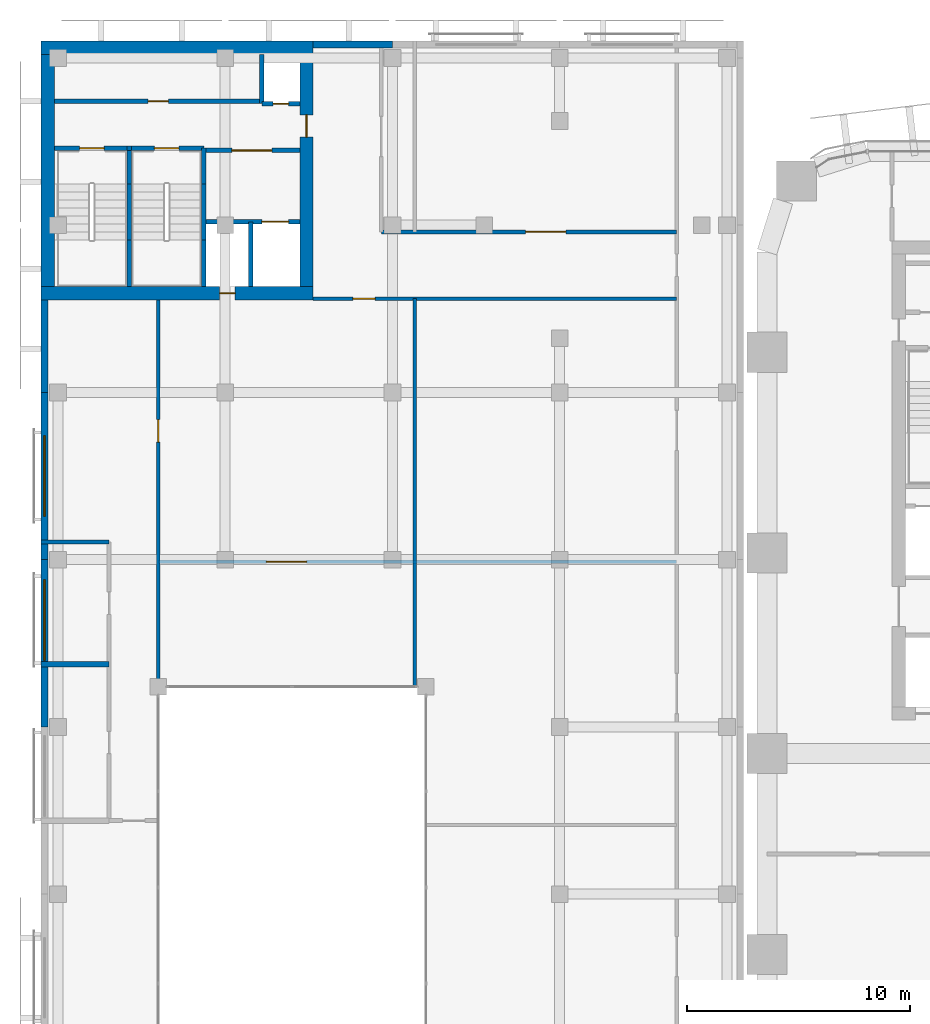
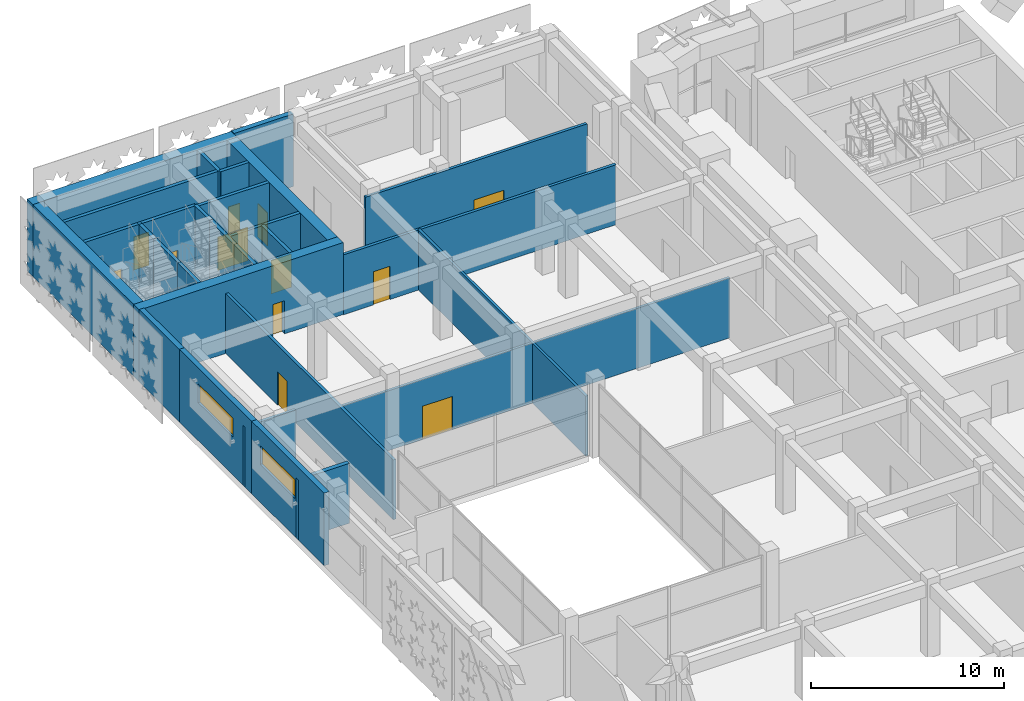
# One storey, part 19 of 40: 30 walls, 12 doors, 2 windows, 14 openings.
"""IFC4 building model written with IfcOpenShell, lengths in metres."""

from ifc_helpers import new_model, si_unit, direction, frame, frame_2d, origin, place, context, subcontext, project, spatial, rectangle, extrude, material, layer, layer_set, type_object, element, fill, save


model = new_model("IFC4")

# Units and contexts
model_context = context("Model", 3, precision=1e-05, world=origin(), true_north=direction((0.0, 1.0)))
body_context = subcontext(model_context, "Body", "Model", "MODEL_VIEW")
ifc_project = project(units=[si_unit("LENGTHUNIT", "METRE"), si_unit("AREAUNIT", "SQUARE_METRE"), si_unit("VOLUMEUNIT", "CUBIC_METRE"), si_unit("PLANEANGLEUNIT", "RADIAN"), si_unit("MASSUNIT", "GRAM", prefix="KILO")], contexts=[model_context])

# Site, building, storey
site_placement = place(None, origin())
site = spatial("IfcSite", under=ifc_project, at=site_placement, CompositionType="ELEMENT")
building_placement = place(site_placement, origin())
building = spatial("IfcBuilding", under=site, at=building_placement, Name="Tessera Arch", CompositionType="ELEMENT")
storey_placement = place(building_placement, frame((0.0, 0.0, 21.0)))
storey = spatial("IfcBuildingStorey", under=building, at=storey_placement, Name="L03", CompositionType="ELEMENT", Elevation=21.0)

# Wall, opening, door
ifc_material_1 = material(Name="Gypsum board on steel stud", Category="steel")
ifc_layer_1 = layer(ifc_material_1, 0.125)
ifc_layer_set_1 = layer_set([ifc_layer_1], Name="Core partition 125 EI 60")
wall_type_1 = type_object("IfcWallType", Name="Core partition 125 EI 60", PredefinedType="PARTITIONING", material=ifc_layer_set_1)
wall_1_placement = place(storey_placement, frame((-25.25, 54.050048828125, 0.0), z_axis=(0.0, 0.0, 1.0), x_axis=(1.0, 0.0, 0.0)))
wall_1 = element("IfcWall", 1, at=wall_1_placement, inside=storey, type_object=wall_type_1, Name="L03 M1 partition wall 10", PredefinedType="PARTITIONING", context=body_context, shape_type="SweptSolid", body=[
    extrude(rectangle(XDim=4.300048828125, YDim=0.199951171875, at=frame_2d((2.14990234375, 0.0))), origin(), (0.0, 0.0, 1.0), 4.550048828125),
])
opening_1_placement = place(wall_1_placement, frame((1.25, 0.0, 0.0)))
opening_1 = element("IfcOpeningElement", 2, at=opening_1_placement, cuts=wall_1, Name="Opening L03-C48", PredefinedType="OPENING", context=body_context, shape_type="SweptSolid", body=[
    extrude(rectangle(XDim=1.800048828125, YDim=2.10009765625, at=frame_2d((0.89990234375, 1.050048828125))), frame((0.0, 0.10986328125, 0.0), z_axis=(0.0, -1.0, 0.0), x_axis=(1.0, 0.0, 0.0)), (0.0, 0.0, 1.0), 0.219970703125),
])
ifc_material_2 = material(Name="Glazed steel door leaf", Category="steel")
door_type_1 = type_object("IfcDoorType", Name="Lobby double door FD30S 1800 x 2100", OperationType="DOUBLE_DOOR_SINGLE_SWING", PredefinedType="DOOR", material=ifc_material_2)
door_1_placement = place(opening_1_placement, origin())
door_1 = element("IfcDoor", 3, at=door_1_placement, inside=storey, type_object=door_type_1, Name="L03 M1 door 4 C48 type D06", OperationType="DOUBLE_DOOR_SINGLE_SWING", OverallHeight=2.10009765625, OverallWidth=1.800048828125, PredefinedType="DOOR", context=body_context, shape_type="SweptSolid", body=[
    extrude(rectangle(XDim=1.800048828125, YDim=2.10009765625, at=frame_2d((0.89990234375, 1.050048828125))), frame((0.0, 0.02490234375, 0.0), z_axis=(0.0, -1.0, 0.0), x_axis=(1.0, 0.0, 0.0)), (0.0, 0.0, 1.0), 0.050048828125),
])
fill(opening_1, door_1)

wall_2_placement = place(storey_placement, frame((-31.949951171875, 56.25, 0.0), z_axis=(0.0, 0.0, 1.0), x_axis=(1.0, 0.0, 0.0)))
wall_2 = element("IfcWall", 4, at=wall_2_placement, inside=storey, type_object=wall_type_1, Name="L03 M1 partition wall 14", PredefinedType="PARTITIONING", context=body_context, shape_type="SweptSolid", body=[
    extrude(rectangle(XDim=9.300048828125, YDim=0.199951171875, at=frame_2d((4.64990234375, 0.0))), origin(), (0.0, 0.0, 1.0), 4.550048828125),
])
opening_2_placement = place(wall_2_placement, frame((4.199951171875, 0.0, 0.0)))
opening_2 = element("IfcOpeningElement", 5, at=opening_2_placement, cuts=wall_2, Name="Opening L03-C52", PredefinedType="OPENING", context=body_context, shape_type="SweptSolid", body=[
    extrude(rectangle(XDim=0.89990234375, YDim=2.10009765625, at=frame_2d((0.449951171875, 1.050048828125))), frame((0.0, 0.10986328125, 0.0), z_axis=(0.0, -1.0, 0.0), x_axis=(1.0, 0.0, 0.0)), (0.0, 0.0, 1.0), 0.219970703125),
])
ifc_material_3 = material(Name="Steel door leaf", Category="steel")
door_type_2 = type_object("IfcDoorType", Name="Store door FD30S 900 x 2100", OperationType="SINGLE_SWING_LEFT", PredefinedType="DOOR", material=ifc_material_3)
door_2_placement = place(opening_2_placement, origin())
door_2 = element("IfcDoor", 6, at=door_2_placement, inside=storey, type_object=door_type_2, Name="L03 M1 door 8 C52 type D09", OperationType="SINGLE_SWING_LEFT", OverallHeight=2.10009765625, OverallWidth=0.89990234375, PredefinedType="DOOR", context=body_context, shape_type="SweptSolid", body=[
    extrude(rectangle(XDim=0.89990234375, YDim=2.10009765625, at=frame_2d((0.449951171875, 1.050048828125))), frame((0.0, 0.02490234375, 0.0), z_axis=(0.0, -1.0, 0.0), x_axis=(1.0, 0.0, 0.0)), (0.0, 0.0, 1.0), 0.050048828125),
])
fill(opening_2, door_2)

ifc_material_4 = material(Name="Concrete C70/85", Category="concrete")
ifc_layer_2 = layer(ifc_material_4, 0.60009765625)
ifc_layer_set_2 = layer_set([ifc_layer_2], Name="Core shell wall 600 C70-85")
wall_type_2 = type_object("IfcWallType", Name="Core shell wall 600 C70-85", PredefinedType="SHEAR", material=ifc_layer_set_2)
wall_3_placement = place(storey_placement, frame((-32.550048828125, 47.64990234375, 0.0), z_axis=(0.0, 0.0, 1.0), x_axis=(1.0, 0.0, 0.0)))
wall_3 = element("IfcWall", 7, at=wall_3_placement, inside=storey, type_object=wall_type_2, Name="L03 M1 core wall S", PredefinedType="SHEAR", context=body_context, shape_type="SweptSolid", body=[
    extrude(rectangle(XDim=12.199951171875, YDim=0.60009765625, at=frame_2d((6.10009765625, 0.0))), origin(), (0.0, 0.0, 1.0), 4.550048828125),
])
opening_3_placement = place(wall_3_placement, frame((8.0, 0.0, 0.0)))
opening_3 = element("IfcOpeningElement", 8, at=opening_3_placement, cuts=wall_3, Name="Opening L03-C50", PredefinedType="OPENING", context=body_context, shape_type="SweptSolid", body=[
    extrude(rectangle(XDim=0.699951171875, YDim=2.10009765625, at=frame_2d((0.35009765625, 1.050048828125))), frame((0.0, 0.31005859375, 0.0), z_axis=(0.0, -1.0, 0.0), x_axis=(1.0, 0.0, 0.0)), (0.0, 0.0, 1.0), 0.6201171875),
])
ifc_material_5 = material(Name="Steel door leaf", Category="steel")
door_type_3 = type_object("IfcDoorType", Name="Service shaft door FD60 700 x 2100", OperationType="SINGLE_SWING_LEFT", PredefinedType="DOOR", material=ifc_material_5)
door_3_placement = place(opening_3_placement, origin())
door_3 = element("IfcDoor", 9, at=door_3_placement, inside=storey, type_object=door_type_3, Name="L03 M1 door 6 C50 type D07", OperationType="SINGLE_SWING_RIGHT", OverallHeight=2.10009765625, OverallWidth=0.699951171875, PredefinedType="DOOR", context=body_context, shape_type="SweptSolid", body=[
    extrude(rectangle(XDim=0.699951171875, YDim=2.10009765625, at=frame_2d((0.35009765625, 1.050048828125))), frame((0.0, 0.02490234375, 0.0), z_axis=(0.0, -1.0, 0.0), x_axis=(1.0, 0.0, 0.0)), (0.0, 0.0, 1.0), 0.050048828125),
])
fill(opening_3, door_3)

# Walls
wall_4_placement = place(storey_placement, frame((-32.550048828125, 58.64990234375, 0.0), z_axis=(0.0, 0.0, 1.0), x_axis=(1.0, 0.0, 0.0)))
element("IfcWall", 10, at=wall_4_placement, inside=storey, type_object=wall_type_2, Name="L03 M1 core wall N", PredefinedType="SHEAR", context=body_context, shape_type="SweptSolid", body=[
    extrude(rectangle(XDim=12.199951171875, YDim=0.60009765625, at=frame_2d((6.10009765625, 0.0))), origin(), (0.0, 0.0, 1.0), 4.550048828125),
])
wall_5_placement = place(storey_placement, frame((-32.25, 47.949951171875, 0.0), z_axis=(0.0, 0.0, 1.0), x_axis=(0.0, 1.0, 0.0)))
element("IfcWall", 11, at=wall_5_placement, inside=storey, type_object=wall_type_2, Name="L03 M1 core wall W", PredefinedType="SHEAR", context=body_context, shape_type="SweptSolid", body=[
    extrude(rectangle(XDim=10.400146484375, YDim=0.60009765625, at=frame_2d((5.2001953125, 0.0))), origin(), (0.0, 0.0, 1.0), 4.550048828125),
])

# Wall, opening, door
wall_6_placement = place(storey_placement, frame((-20.64990234375, 47.949951171875, 0.0), z_axis=(0.0, 0.0, 1.0), x_axis=(0.0, 1.0, 0.0)))
wall_6 = element("IfcWall", 12, at=wall_6_placement, inside=storey, type_object=wall_type_2, Name="L03 M1 core wall E", PredefinedType="SHEAR", context=body_context, shape_type="SweptSolid", body=[
    extrude(rectangle(XDim=10.400146484375, YDim=0.60009765625, at=frame_2d((5.2001953125, 0.0))), origin(), (0.0, 0.0, 1.0), 4.550048828125),
])
opening_4_placement = place(wall_6_placement, frame((6.699951171875, 0.0, 0.0)))
opening_4 = element("IfcOpeningElement", 13, at=opening_4_placement, cuts=wall_6, Name="Opening L03-C51", PredefinedType="OPENING", context=body_context, shape_type="SweptSolid", body=[
    extrude(rectangle(XDim=1.0, YDim=2.10009765625, at=frame_2d((0.5, 1.050048828125))), frame((0.0, 0.31005859375, 0.0), z_axis=(0.0, -1.0, 0.0), x_axis=(1.0, 0.0, 0.0)), (0.0, 0.0, 1.0), 0.6201171875),
])
ifc_material_6 = material(Name="Steel door leaf", Category="steel")
door_type_4 = type_object("IfcDoorType", Name="Corridor door FD60 1000 x 2100", OperationType="SINGLE_SWING_LEFT", PredefinedType="DOOR", material=ifc_material_6)
door_4_placement = place(opening_4_placement, origin())
door_4 = element("IfcDoor", 14, at=door_4_placement, inside=storey, type_object=door_type_4, Name="L03 M1 door 7 C51 type D12", OperationType="SINGLE_SWING_RIGHT", OverallHeight=2.10009765625, OverallWidth=1.0, PredefinedType="DOOR", context=body_context, shape_type="SweptSolid", body=[
    extrude(rectangle(XDim=1.0, YDim=2.10009765625, at=frame_2d((0.5, 1.050048828125))), frame((0.0, 0.02490234375, 0.0), z_axis=(0.0, -1.0, 0.0), x_axis=(1.0, 0.0, 0.0)), (0.0, 0.0, 1.0), 0.050048828125),
])
fill(opening_4, door_4)

# Wall
ifc_material_7 = material(Name="Gypsum board on deep steel stud with mineral wool", Category="steel")
ifc_layer_3 = layer(ifc_material_7, 0.175048828125)
ifc_layer_set_3 = layer_set([ifc_layer_3], Name="Corridor wall 175 EI 60")
wall_type_3 = type_object("IfcWallType", Name="Corridor wall 175 EI 60", PredefinedType="PARTITIONING", material=ifc_layer_set_3)
wall_7_placement = place(storey_placement, frame((-32.550048828125, 36.5, 0.0), z_axis=(0.0, 0.0, 1.0), x_axis=(1.0, 0.0, 0.0)))
element("IfcWall", 15, at=wall_7_placement, inside=storey, type_object=wall_type_3, Name="L03 partition 9", PredefinedType="PARTITIONING", context=body_context, shape_type="SweptSolid", body=[
    extrude(rectangle(XDim=3.050048828125, YDim=0.175048828125, at=frame_2d((1.52490234375, 0.0))), origin(), (0.0, 0.0, 1.0), 3.7900390625),
])

# Wall, opening, door
wall_8_placement = place(storey_placement, frame((-20.35009765625, 47.39990234375, 0.0), z_axis=(0.0, 0.0, 1.0), x_axis=(1.0, 0.0, 0.0)))
wall_8 = element("IfcWall", 16, at=wall_8_placement, inside=storey, type_object=wall_type_3, Name="L03 partition 10", PredefinedType="PARTITIONING", context=body_context, shape_type="SweptSolid", body=[
    extrude(rectangle(XDim=16.300048828125, YDim=0.175048828125, at=frame_2d((8.14990234375, 0.0))), origin(), (0.0, 0.0, 1.0), 3.7900390625),
])
opening_5_placement = place(wall_8_placement, frame((1.77490234375, 0.0, 0.0)))
opening_5 = element("IfcOpeningElement", 17, at=opening_5_placement, cuts=wall_8, Name="Opening L03-D001", PredefinedType="OPENING", context=body_context, shape_type="SweptSolid", body=[
    extrude(rectangle(XDim=1.0, YDim=2.10009765625, at=frame_2d((0.5, 1.050048828125))), frame((0.0, 0.097412109375, 0.0), z_axis=(0.0, -1.0, 0.0), x_axis=(1.0, 0.0, 0.0)), (0.0, 0.0, 1.0), 0.195068359375),
])
ifc_material_8 = material(Name="Fire-rated door leaf")
door_type_5 = type_object("IfcDoorType", Name="Entrance door FD30S 1000 x 2100", OperationType="SINGLE_SWING_LEFT", PredefinedType="DOOR", material=ifc_material_8)
door_5_placement = place(opening_5_placement, origin())
door_5 = element("IfcDoor", 18, at=door_5_placement, inside=storey, type_object=door_type_5, Name="L03 door D001 type D03", OperationType="SINGLE_SWING_LEFT", OverallHeight=2.10009765625, OverallWidth=1.0, PredefinedType="DOOR", context=body_context, shape_type="SweptSolid", body=[
    extrude(rectangle(XDim=1.0, YDim=2.10009765625, at=frame_2d((0.5, 1.050048828125))), frame((0.0, 0.02490234375, 0.0), z_axis=(0.0, -1.0, 0.0), x_axis=(1.0, 0.0, 0.0)), (0.0, 0.0, 1.0), 0.050048828125),
])
fill(opening_5, door_5)

wall_9_placement = place(storey_placement, frame((-17.300048828125, 50.39990234375, 0.0), z_axis=(0.0, 0.0, 1.0), x_axis=(1.0, 0.0, 0.0)))
wall_9 = element("IfcWall", 19, at=wall_9_placement, inside=storey, type_object=wall_type_3, Name="L03 partition 12", PredefinedType="PARTITIONING", context=body_context, shape_type="SweptSolid", body=[
    extrude(rectangle(XDim=13.25, YDim=0.175048828125, at=frame_2d((6.625, 0.0))), origin(), (0.0, 0.0, 1.0), 4.550048828125),
])
opening_6_placement = place(wall_9_placement, frame((6.47509765625, 0.0, 0.0)))
opening_6 = element("IfcOpeningElement", 20, at=opening_6_placement, cuts=wall_9, Name="Opening L03-D010", PredefinedType="OPENING", context=body_context, shape_type="SweptSolid", body=[
    extrude(rectangle(XDim=1.800048828125, YDim=2.10009765625, at=frame_2d((0.89990234375, 1.050048828125))), frame((0.0, 0.097412109375, 0.0), z_axis=(0.0, -1.0, 0.0), x_axis=(1.0, 0.0, 0.0)), (0.0, 0.0, 1.0), 0.195068359375),
])
ifc_material_9 = material(Name="Timber door leaf", Category="wood")
door_type_6 = type_object("IfcDoorType", Name="Double door 1800 x 2100", OperationType="DOUBLE_DOOR_SINGLE_SWING", PredefinedType="DOOR", material=ifc_material_9)
door_6_placement = place(opening_6_placement, origin())
door_6 = element("IfcDoor", 21, at=door_6_placement, inside=storey, type_object=door_type_6, Name="L03 door D010 type D13", OperationType="DOUBLE_DOOR_SINGLE_SWING", OverallHeight=2.10009765625, OverallWidth=1.800048828125, PredefinedType="DOOR", context=body_context, shape_type="SweptSolid", body=[
    extrude(rectangle(XDim=1.800048828125, YDim=2.10009765625, at=frame_2d((0.89990234375, 1.050048828125))), frame((0.0, 0.02490234375, 0.0), z_axis=(0.0, -1.0, 0.0), x_axis=(1.0, 0.0, 0.0)), (0.0, 0.0, 1.0), 0.050048828125),
])
fill(opening_6, door_6)

wall_10_placement = place(storey_placement, frame((-27.300048828125, 30.0, 0.0), z_axis=(0.0, 0.0, 1.0), x_axis=(0.0, 1.0, 0.0)))
wall_10 = element("IfcWall", 22, at=wall_10_placement, inside=storey, type_object=wall_type_3, Name="L03 partition 14", PredefinedType="PARTITIONING", context=body_context, shape_type="SweptSolid", body=[
    extrude(rectangle(XDim=17.35009765625, YDim=0.175048828125, at=frame_2d((8.675048828125, 0.0))), origin(), (0.0, 0.0, 1.0), 3.7900390625),
])
opening_7_placement = place(wall_10_placement, frame((10.97509765625, 0.0, 0.0)))
opening_7 = element("IfcOpeningElement", 23, at=opening_7_placement, cuts=wall_10, Name="Opening L03-D003", PredefinedType="OPENING", context=body_context, shape_type="SweptSolid", body=[
    extrude(rectangle(XDim=1.0, YDim=2.10009765625, at=frame_2d((0.5, 1.050048828125))), frame((0.0, 0.097412109375, 0.0), z_axis=(0.0, -1.0, 0.0), x_axis=(1.0, 0.0, 0.0)), (0.0, 0.0, 1.0), 0.195068359375),
])
door_7_placement = place(opening_7_placement, origin())
door_7 = element("IfcDoor", 24, at=door_7_placement, inside=storey, type_object=door_type_5, Name="L03 door D003 type D03", OperationType="SINGLE_SWING_RIGHT", OverallHeight=2.10009765625, OverallWidth=1.0, PredefinedType="DOOR", context=body_context, shape_type="SweptSolid", body=[
    extrude(rectangle(XDim=1.0, YDim=2.10009765625, at=frame_2d((0.5, 1.050048828125))), frame((0.0, 0.02490234375, 0.0), z_axis=(0.0, -1.0, 0.0), x_axis=(1.0, 0.0, 0.0)), (0.0, 0.0, 1.0), 0.050048828125),
])
fill(opening_7, door_7)

# Walls
ifc_material_10 = material(Name="Aluminium cladding pale metal anodised", Category="aluminium")
ifc_layer_4 = layer(ifc_material_10, 0.300048828125)
ifc_layer_set_4 = layer_set([ifc_layer_4], Name="Museum envelope wall pale metal")
wall_type_4 = type_object("IfcWallType", Name="Museum envelope wall pale metal", PredefinedType="SOLIDWALL", material=ifc_layer_set_4)
wall_11_placement = place(storey_placement, frame((-16.800048828125, 58.800048828125, 0.0), z_axis=(0.0, 0.0, 1.0), x_axis=(-1.0, 0.0, 0.0)))
element("IfcWall", 25, at=wall_11_placement, inside=storey, type_object=wall_type_4, Name="Museum external wall pale metal mashrabiya pattern", PredefinedType="SOLIDWALL", context=body_context, shape_type="SweptSolid", body=[
    extrude(rectangle(XDim=3.550048828125, YDim=0.300048828125, at=frame_2d((1.77490234375, 0.0))), origin(), (0.0, 0.0, 1.0), 4.590087890625),
])
wall_12_placement = place(storey_placement, frame((-32.39990234375, 47.35009765625, 0.0), z_axis=(0.0, 0.0, 1.0), x_axis=(0.0, -1.0, 0.0)))
element("IfcWall", 26, at=wall_12_placement, inside=storey, type_object=wall_type_4, Name="Museum external wall pale metal mashrabiya pattern", PredefinedType="SOLIDWALL", context=body_context, shape_type="SweptSolid", body=[
    extrude(rectangle(XDim=4.150146484375, YDim=0.300048828125, at=frame_2d((2.0751953125, 0.0))), origin(), (0.0, 0.0, 1.0), 4.590087890625),
])

# Wall, opening, window
wall_13_placement = place(storey_placement, frame((-32.39990234375, 43.199951171875, 0.0), z_axis=(0.0, 0.0, 1.0), x_axis=(0.0, -1.0, 0.0)))
wall_13 = element("IfcWall", 27, at=wall_13_placement, inside=storey, type_object=wall_type_4, Name="Museum external wall pale metal mashrabiya pattern", PredefinedType="SOLIDWALL", context=body_context, shape_type="SweptSolid", body=[
    extrude(rectangle(XDim=7.5, YDim=0.300048828125, at=frame_2d((3.75, 0.0))), origin(), (0.0, 0.0, 1.0), 4.590087890625),
])
opening_8_placement = place(wall_13_placement, frame((1.949951171875, 0.0, 2.39990234375)))
opening_8 = element("IfcOpeningElement", 28, at=opening_8_placement, cuts=wall_13, Name="Opening L03-MV46", PredefinedType="OPENING", context=body_context, shape_type="SweptSolid", body=[
    extrude(rectangle(XDim=3.60009765625, YDim=1.199951171875, at=frame_2d((1.800048828125, 0.60009765625))), frame((0.0, 0.159912109375, 0.0), z_axis=(0.0, -1.0, 0.0), x_axis=(1.0, 0.0, 0.0)), (0.0, 0.0, 1.0), 0.320068359375),
])
ifc_material_11 = material(Name="Clear low-e glass in aluminium frame", Category="aluminium")
window_type = type_object("IfcWindowType", Name="Museum clerestory window", PartitioningType="SINGLE_PANEL", PredefinedType="WINDOW", material=ifc_material_11)
window_1_placement = place(opening_8_placement, origin())
window_1 = element("IfcWindow", 29, at=window_1_placement, inside=storey, type_object=window_type, Name="Museum window L03 6-4", OverallHeight=1.199951171875, OverallWidth=3.60009765625, PartitioningType="SINGLE_PANEL", PredefinedType="WINDOW", context=body_context, shape_type="SweptSolid", body=[
    extrude(rectangle(XDim=3.60009765625, YDim=1.199951171875, at=frame_2d((1.800048828125, 0.60009765625))), frame((0.0, 0.030029296875, 0.0), z_axis=(0.0, -1.0, 0.0), x_axis=(1.0, 0.0, 0.0)), (0.0, 0.0, 1.0), 0.06005859375),
])
fill(opening_8, window_1)

wall_14_placement = place(storey_placement, frame((-32.39990234375, 35.699951171875, 0.0), z_axis=(0.0, 0.0, 1.0), x_axis=(0.0, -1.0, 0.0)))
wall_14 = element("IfcWall", 30, at=wall_14_placement, inside=storey, type_object=wall_type_4, Name="Museum external wall pale metal mashrabiya pattern", PredefinedType="SOLIDWALL", context=body_context, shape_type="SweptSolid", body=[
    extrude(rectangle(XDim=7.5, YDim=0.300048828125, at=frame_2d((3.75, 0.0))), origin(), (0.0, 0.0, 1.0), 4.590087890625),
])
opening_9_placement = place(wall_14_placement, frame((0.89990234375, 0.0, 2.39990234375)))
opening_9 = element("IfcOpeningElement", 31, at=opening_9_placement, cuts=wall_14, Name="Opening L03-MV47", PredefinedType="OPENING", context=body_context, shape_type="SweptSolid", body=[
    extrude(rectangle(XDim=3.60009765625, YDim=1.199951171875, at=frame_2d((1.800048828125, 0.60009765625))), frame((0.0, 0.159912109375, 0.0), z_axis=(0.0, -1.0, 0.0), x_axis=(1.0, 0.0, 0.0)), (0.0, 0.0, 1.0), 0.320068359375),
])
window_2_placement = place(opening_9_placement, origin())
window_2 = element("IfcWindow", 32, at=window_2_placement, inside=storey, type_object=window_type, Name="Museum window L03 6-5", OverallHeight=1.199951171875, OverallWidth=3.60009765625, PartitioningType="SINGLE_PANEL", PredefinedType="WINDOW", context=body_context, shape_type="SweptSolid", body=[
    extrude(rectangle(XDim=3.60009765625, YDim=1.199951171875, at=frame_2d((1.800048828125, 0.60009765625))), frame((0.0, 0.030029296875, 0.0), z_axis=(0.0, -1.0, 0.0), x_axis=(1.0, 0.0, 0.0)), (0.0, 0.0, 1.0), 0.06005859375),
])
fill(opening_9, window_2)

# Wall, opening, door
ifc_material_12 = material(Name="Gypsum board on steel stud", Category="steel")
ifc_layer_5 = layer(ifc_material_12, 0.14990234375)
ifc_layer_set_5 = layer_set([ifc_layer_5], Name="Partition 150")
wall_type_5 = type_object("IfcWallType", Name="Partition 150", PredefinedType="PARTITIONING", material=ifc_layer_set_5)
wall_15_placement = place(storey_placement, frame((-27.300048828125, 35.60009765625, 0.0), z_axis=(0.0, 0.0, 1.0), x_axis=(1.0, 0.0, 0.0)))
wall_15 = element("IfcWall", 33, at=wall_15_placement, inside=storey, type_object=wall_type_5, Name="L03 partition 25", PredefinedType="PARTITIONING", context=body_context, shape_type="SweptSolid", body=[
    extrude(rectangle(XDim=23.25, YDim=0.14990234375, at=frame_2d((11.625, 0.0))), origin(), (0.0, 0.0, 1.0), 3.7900390625),
])
opening_10_placement = place(wall_15_placement, frame((4.85009765625, 0.0, 0.0)))
opening_10 = element("IfcOpeningElement", 34, at=opening_10_placement, cuts=wall_15, Name="Opening L03-D011", PredefinedType="OPENING", context=body_context, shape_type="SweptSolid", body=[
    extrude(rectangle(XDim=1.800048828125, YDim=2.10009765625, at=frame_2d((0.89990234375, 1.050048828125))), frame((0.0, 0.0849609375, 0.0), z_axis=(0.0, -1.0, 0.0), x_axis=(1.0, 0.0, 0.0)), (0.0, 0.0, 1.0), 0.169921875),
])
door_8_placement = place(opening_10_placement, origin())
door_8 = element("IfcDoor", 35, at=door_8_placement, inside=storey, type_object=door_type_6, Name="L03 door D011 type D13", OperationType="DOUBLE_DOOR_SINGLE_SWING", OverallHeight=2.10009765625, OverallWidth=1.800048828125, PredefinedType="DOOR", context=body_context, shape_type="SweptSolid", body=[
    extrude(rectangle(XDim=1.800048828125, YDim=2.10009765625, at=frame_2d((0.89990234375, 1.050048828125))), frame((0.0, 0.02490234375, 0.0), z_axis=(0.0, -1.0, 0.0), x_axis=(1.0, 0.0, 0.0)), (0.0, 0.0, 1.0), 0.050048828125),
])
fill(opening_10, door_8)

# Walls
wall_16_placement = place(storey_placement, frame((-15.800048828125, 30.0, 0.0), z_axis=(0.0, 0.0, 1.0), x_axis=(0.0, 1.0, 0.0)))
element("IfcWall", 36, at=wall_16_placement, inside=storey, type_object=wall_type_5, Name="L03 partition 29", PredefinedType="PARTITIONING", context=body_context, shape_type="SweptSolid", body=[
    extrude(rectangle(XDim=17.39990234375, YDim=0.14990234375, at=frame_2d((8.699951171875, 0.0))), origin(), (0.0, 0.0, 1.0), 3.7900390625),
])
ifc_material_13 = material(Name="Double gypsum board on twin steel stud with acoustic mineral wool", Category="steel")
ifc_layer_6 = layer(ifc_material_13, 0.25)
ifc_layer_set_6 = layer_set([ifc_layer_6], Name="Party wall 250 EI 60")
wall_type_6 = type_object("IfcWallType", Name="Party wall 250 EI 60", PredefinedType="PARTITIONING", material=ifc_layer_set_6)
wall_17_placement = place(storey_placement, frame((-32.550048828125, 31.0, 0.0), z_axis=(0.0, 0.0, 1.0), x_axis=(1.0, 0.0, 0.0)))
element("IfcWall", 37, at=wall_17_placement, inside=storey, type_object=wall_type_6, Name="L03 partition 41", PredefinedType="PARTITIONING", context=body_context, shape_type="SweptSolid", body=[
    extrude(rectangle(XDim=3.050048828125, YDim=0.25, at=frame_2d((1.52490234375, 0.0))), origin(), (0.0, 0.0, 1.0), 3.7900390625),
])
ifc_material_14 = material(Name="Concrete C40/50", Category="concrete")
ifc_layer_7 = layer(ifc_material_14, 0.199951171875)
ifc_layer_set_7 = layer_set([ifc_layer_7], Name="Shaft wall 200 EI 120")
wall_type_7 = type_object("IfcWallType", Name="Shaft wall 200 EI 120", PredefinedType="SOLIDWALL", material=ifc_layer_set_7)
wall_18_placement = place(storey_placement, frame((-23.14990234375, 47.949951171875, 0.0), z_axis=(0.0, 0.0, 1.0), x_axis=(0.0, 1.0, 0.0)))
element("IfcWall", 38, at=wall_18_placement, inside=storey, type_object=wall_type_7, Name="L03 M1 shaft wall 7", PredefinedType="SOLIDWALL", context=body_context, shape_type="SweptSolid", body=[
    extrude(rectangle(XDim=2.900146484375, YDim=0.199951171875, at=frame_2d((1.4501953125, 0.0))), origin(), (0.0, 0.0, 1.0), 4.550048828125),
])
wall_19_placement = place(storey_placement, frame((-22.64990234375, 56.14990234375, 0.0), z_axis=(0.0, 0.0, 1.0), x_axis=(0.0, 1.0, 0.0)))
element("IfcWall", 39, at=wall_19_placement, inside=storey, type_object=wall_type_7, Name="L03 M1 shaft wall 8", PredefinedType="SOLIDWALL", context=body_context, shape_type="SweptSolid", body=[
    extrude(rectangle(XDim=2.2001953125, YDim=0.199951171875, at=frame_2d((1.10009765625, 0.0))), origin(), (0.0, 0.0, 1.0), 4.550048828125),
])

# Wall, opening, door
wall_20_placement = place(storey_placement, frame((-25.25, 50.85009765625, 0.0), z_axis=(0.0, 0.0, 1.0), x_axis=(1.0, 0.0, 0.0)))
wall_20 = element("IfcWall", 40, at=wall_20_placement, inside=storey, type_object=wall_type_7, Name="L03 M1 shaft wall 9", PredefinedType="SOLIDWALL", context=body_context, shape_type="SweptSolid", body=[
    extrude(rectangle(XDim=4.300048828125, YDim=0.199951171875, at=frame_2d((2.14990234375, 0.0))), origin(), (0.0, 0.0, 1.0), 4.550048828125),
])
opening_11_placement = place(wall_20_placement, frame((2.60009765625, 0.0, 0.0)))
opening_11 = element("IfcOpeningElement", 41, at=opening_11_placement, cuts=wall_20, Name="Opening L03-C45", PredefinedType="OPENING", context=body_context, shape_type="SweptSolid", body=[
    extrude(rectangle(XDim=1.199951171875, YDim=2.10009765625, at=frame_2d((0.60009765625, 1.050048828125))), frame((0.0, 0.10986328125, 0.0), z_axis=(0.0, -1.0, 0.0), x_axis=(1.0, 0.0, 0.0)), (0.0, 0.0, 1.0), 0.219970703125),
])
ifc_material_15 = material(Name="Stainless steel AISI 304", Category="steel")
door_type_7 = type_object("IfcDoorType", Name="Sliding landing door 1200 x 2100", OperationType="SLIDING_TO_LEFT", PredefinedType="DOOR", material=ifc_material_15)
door_9_placement = place(opening_11_placement, origin())
door_9 = element("IfcDoor", 42, at=door_9_placement, inside=storey, type_object=door_type_7, Name="L03 ML1 lift landing door C45 type LD", OperationType="SLIDING_TO_LEFT", OverallHeight=2.10009765625, OverallWidth=1.199951171875, PredefinedType="DOOR", context=body_context, shape_type="SweptSolid", body=[
    extrude(rectangle(XDim=1.199951171875, YDim=2.10009765625, at=frame_2d((0.60009765625, 1.050048828125))), frame((0.0, 0.02490234375, 0.0), z_axis=(0.0, -1.0, 0.0), x_axis=(1.0, 0.0, 0.0)), (0.0, 0.0, 1.0), 0.050048828125),
])
fill(opening_11, door_9)

wall_21_placement = place(storey_placement, frame((-22.64990234375, 56.14990234375, 0.0), z_axis=(0.0, 0.0, 1.0), x_axis=(1.0, 0.0, 0.0)))
wall_21 = element("IfcWall", 43, at=wall_21_placement, inside=storey, type_object=wall_type_7, Name="L03 M1 shaft wall 15", PredefinedType="SOLIDWALL", context=body_context, shape_type="SweptSolid", body=[
    extrude(rectangle(XDim=1.699951171875, YDim=0.199951171875, at=frame_2d((0.85009765625, 0.0))), origin(), (0.0, 0.0, 1.0), 4.550048828125),
])
opening_12_placement = place(wall_21_placement, frame((0.5, 0.0, 0.0)))
opening_12 = element("IfcOpeningElement", 44, at=opening_12_placement, cuts=wall_21, Name="Opening L03-C49", PredefinedType="OPENING", context=body_context, shape_type="SweptSolid", body=[
    extrude(rectangle(XDim=0.699951171875, YDim=2.10009765625, at=frame_2d((0.35009765625, 1.050048828125))), frame((0.0, 0.10986328125, 0.0), z_axis=(0.0, -1.0, 0.0), x_axis=(1.0, 0.0, 0.0)), (0.0, 0.0, 1.0), 0.219970703125),
])
door_10_placement = place(opening_12_placement, origin())
door_10 = element("IfcDoor", 45, at=door_10_placement, inside=storey, type_object=door_type_3, Name="L03 M1 door 5 C49 type D07", OperationType="SINGLE_SWING_RIGHT", OverallHeight=2.10009765625, OverallWidth=0.699951171875, PredefinedType="DOOR", context=body_context, shape_type="SweptSolid", body=[
    extrude(rectangle(XDim=0.699951171875, YDim=2.10009765625, at=frame_2d((0.35009765625, 1.050048828125))), frame((0.0, 0.02490234375, 0.0), z_axis=(0.0, -1.0, 0.0), x_axis=(1.0, 0.0, 0.0)), (0.0, 0.0, 1.0), 0.050048828125),
])
fill(opening_12, door_10)

# Walls
ifc_material_16 = material(Name="Concrete C40/50", Category="concrete")
ifc_layer_8 = layer(ifc_material_16, 0.199951171875)
ifc_layer_set_8 = layer_set([ifc_layer_8], Name="Stair well wall 200 REI 180")
wall_type_8 = type_object("IfcWallType", Name="Stair well wall 200 REI 180", PredefinedType="SOLIDWALL", material=ifc_layer_set_8)
wall_22_placement = place(storey_placement, frame((-28.60009765625, 47.949951171875, 0.0), z_axis=(0.0, 0.0, 1.0), x_axis=(0.0, 1.0, 0.0)))
element("IfcWall", 46, at=wall_22_placement, inside=storey, type_object=wall_type_8, Name="L03 M1 shaft wall 1", PredefinedType="SOLIDWALL", context=body_context, shape_type="SweptSolid", body=[
    extrude(rectangle(XDim=2.080078125, YDim=0.199951171875, at=frame_2d((1.0400390625, 0.0))), origin(), (0.0, 0.0, 1.0), 4.550048828125),
])
wall_23_placement = place(storey_placement, frame((-28.60009765625, 50.030029296875, 0.0), z_axis=(0.0, 0.0, 1.0), x_axis=(0.0, 1.0, 0.0)))
element("IfcWall", 47, at=wall_23_placement, inside=storey, type_object=wall_type_8, Name="L03 M1 shaft wall 2", PredefinedType="SOLIDWALL", context=body_context, shape_type="SweptSolid", body=[
    extrude(rectangle(XDim=2.52001953125, YDim=0.199951171875, at=frame_2d((1.260009765625, 0.0))), origin(), (0.0, 0.0, 1.0), 4.550048828125),
])
wall_24_placement = place(storey_placement, frame((-28.60009765625, 52.550048828125, 0.0), z_axis=(0.0, 0.0, 1.0), x_axis=(0.0, 1.0, 0.0)))
element("IfcWall", 48, at=wall_24_placement, inside=storey, type_object=wall_type_8, Name="L03 M1 shaft wall 3", PredefinedType="SOLIDWALL", context=body_context, shape_type="SweptSolid", body=[
    extrude(rectangle(XDim=1.599853515625, YDim=0.199951171875, at=frame_2d((0.7998046875, 0.0))), origin(), (0.0, 0.0, 1.0), 4.550048828125),
])
wall_25_placement = place(storey_placement, frame((-25.25, 47.949951171875, 0.0), z_axis=(0.0, 0.0, 1.0), x_axis=(0.0, 1.0, 0.0)))
element("IfcWall", 49, at=wall_25_placement, inside=storey, type_object=wall_type_8, Name="L03 M1 shaft wall 4", PredefinedType="SOLIDWALL", context=body_context, shape_type="SweptSolid", body=[
    extrude(rectangle(XDim=2.080078125, YDim=0.199951171875, at=frame_2d((1.0400390625, 0.0))), origin(), (0.0, 0.0, 1.0), 4.550048828125),
])
wall_26_placement = place(storey_placement, frame((-25.25, 50.030029296875, 0.0), z_axis=(0.0, 0.0, 1.0), x_axis=(0.0, 1.0, 0.0)))
element("IfcWall", 50, at=wall_26_placement, inside=storey, type_object=wall_type_8, Name="L03 M1 shaft wall 5", PredefinedType="SOLIDWALL", context=body_context, shape_type="SweptSolid", body=[
    extrude(rectangle(XDim=2.52001953125, YDim=0.199951171875, at=frame_2d((1.260009765625, 0.0))), origin(), (0.0, 0.0, 1.0), 4.550048828125),
])
wall_27_placement = place(storey_placement, frame((-25.25, 52.550048828125, 0.0), z_axis=(0.0, 0.0, 1.0), x_axis=(0.0, 1.0, 0.0)))
element("IfcWall", 51, at=wall_27_placement, inside=storey, type_object=wall_type_8, Name="L03 M1 shaft wall 6", PredefinedType="SOLIDWALL", context=body_context, shape_type="SweptSolid", body=[
    extrude(rectangle(XDim=1.599853515625, YDim=0.199951171875, at=frame_2d((0.7998046875, 0.0))), origin(), (0.0, 0.0, 1.0), 4.550048828125),
])

# Wall, opening, door
wall_28_placement = place(storey_placement, frame((-31.949951171875, 54.14990234375, 0.0), z_axis=(0.0, 0.0, 1.0), x_axis=(1.0, 0.0, 0.0)))
wall_28 = element("IfcWall", 52, at=wall_28_placement, inside=storey, type_object=wall_type_8, Name="L03 M1 shaft wall 11", PredefinedType="SOLIDWALL", context=body_context, shape_type="SweptSolid", body=[
    extrude(rectangle(XDim=3.25, YDim=0.199951171875, at=frame_2d((1.625, 0.0))), origin(), (0.0, 0.0, 1.0), 4.550048828125),
])
opening_13_placement = place(wall_28_placement, frame((1.125, 0.0, 0.0)))
opening_13 = element("IfcOpeningElement", 53, at=opening_13_placement, cuts=wall_28, Name="Opening L03-C46", PredefinedType="OPENING", context=body_context, shape_type="SweptSolid", body=[
    extrude(rectangle(XDim=1.10009765625, YDim=2.10009765625, at=frame_2d((0.550048828125, 1.050048828125))), frame((0.0, 0.10986328125, 0.0), z_axis=(0.0, -1.0, 0.0), x_axis=(1.0, 0.0, 0.0)), (0.0, 0.0, 1.0), 0.219970703125),
])
ifc_material_17 = material(Name="Steel door leaf", Category="steel")
door_type_8 = type_object("IfcDoorType", Name="Stair door FD60 1100 x 2100", OperationType="SINGLE_SWING_LEFT", PredefinedType="DOOR", material=ifc_material_17)
door_11_placement = place(opening_13_placement, origin())
door_11 = element("IfcDoor", 54, at=door_11_placement, inside=storey, type_object=door_type_8, Name="L03 M1 door 2 C46 type D05", OperationType="SINGLE_SWING_RIGHT", OverallHeight=2.10009765625, OverallWidth=1.10009765625, PredefinedType="DOOR", context=body_context, shape_type="SweptSolid", body=[
    extrude(rectangle(XDim=1.10009765625, YDim=2.10009765625, at=frame_2d((0.550048828125, 1.050048828125))), frame((0.0, 0.02490234375, 0.0), z_axis=(0.0, -1.0, 0.0), x_axis=(1.0, 0.0, 0.0)), (0.0, 0.0, 1.0), 0.050048828125),
])
fill(opening_13, door_11)

# Wall
wall_29_placement = place(storey_placement, frame((-28.699951171875, 54.14990234375, 0.0), z_axis=(0.0, 0.0, 1.0), x_axis=(1.0, 0.0, 0.0)))
element("IfcWall", 55, at=wall_29_placement, inside=storey, type_object=wall_type_8, Name="L03 M1 shaft wall 12", PredefinedType="SOLIDWALL", context=body_context, shape_type="SweptSolid", body=[
    extrude(rectangle(XDim=0.199951171875, YDim=0.199951171875, at=frame_2d((0.10009765625, 0.0))), origin(), (0.0, 0.0, 1.0), 4.550048828125),
])

# Wall, opening, door
wall_30_placement = place(storey_placement, frame((-28.5, 54.14990234375, 0.0), z_axis=(0.0, 0.0, 1.0), x_axis=(1.0, 0.0, 0.0)))
wall_30 = element("IfcWall", 56, at=wall_30_placement, inside=storey, type_object=wall_type_8, Name="L03 M1 shaft wall 13", PredefinedType="SOLIDWALL", context=body_context, shape_type="SweptSolid", body=[
    extrude(rectangle(XDim=3.25, YDim=0.199951171875, at=frame_2d((1.625, 0.0))), origin(), (0.0, 0.0, 1.0), 4.550048828125),
])
opening_14_placement = place(wall_30_placement, frame((1.02490234375, 0.0, 0.0)))
opening_14 = element("IfcOpeningElement", 57, at=opening_14_placement, cuts=wall_30, Name="Opening L03-C47", PredefinedType="OPENING", context=body_context, shape_type="SweptSolid", body=[
    extrude(rectangle(XDim=1.10009765625, YDim=2.10009765625, at=frame_2d((0.550048828125, 1.050048828125))), frame((0.0, 0.10986328125, 0.0), z_axis=(0.0, -1.0, 0.0), x_axis=(1.0, 0.0, 0.0)), (0.0, 0.0, 1.0), 0.219970703125),
])
door_12_placement = place(opening_14_placement, origin())
door_12 = element("IfcDoor", 58, at=door_12_placement, inside=storey, type_object=door_type_8, Name="L03 M1 door 3 C47 type D05", OperationType="SINGLE_SWING_LEFT", OverallHeight=2.10009765625, OverallWidth=1.10009765625, PredefinedType="DOOR", context=body_context, shape_type="SweptSolid", body=[
    extrude(rectangle(XDim=1.10009765625, YDim=2.10009765625, at=frame_2d((0.550048828125, 1.050048828125))), frame((0.0, 0.02490234375, 0.0), z_axis=(0.0, -1.0, 0.0), x_axis=(1.0, 0.0, 0.0)), (0.0, 0.0, 1.0), 0.050048828125),
])
fill(opening_14, door_12)

save(model, "model.ifc")
